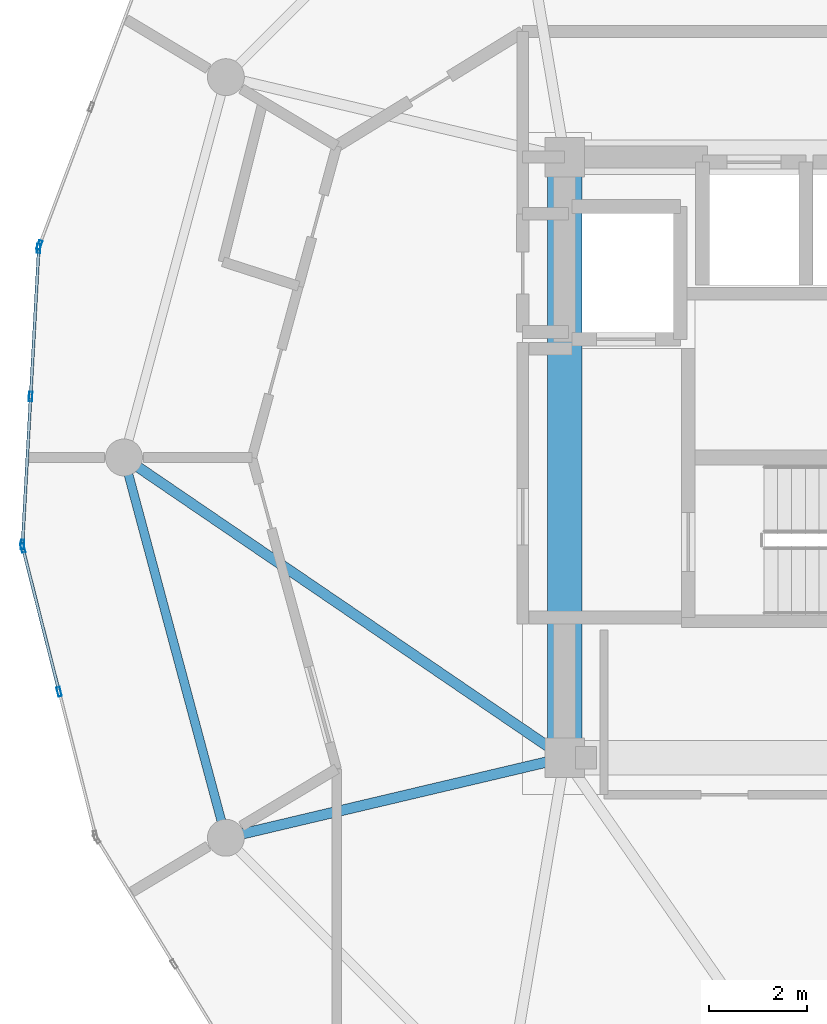
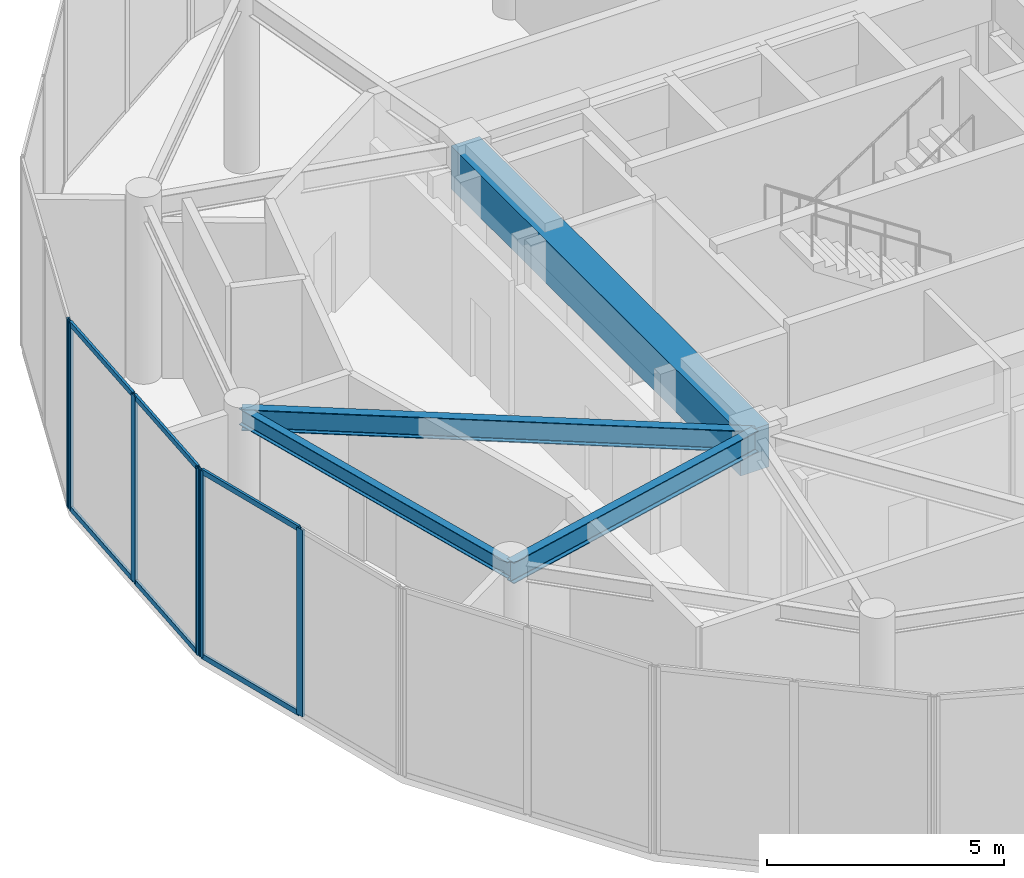
# One storey, part 6 of 21: 12 members, 4 beams, 3 elements without a shape of their own.
"""IFC4 building model written with IfcOpenShell, lengths in metres."""

from ifc_helpers import new_model, si_unit, direction, frame, origin, origin_2d, place, context, subcontext, project, spatial, rectangle, hollow_rectangle, i_section, extrude, source, transform, mapped, material, layer, layer_set, material_profile, profile_set, type_object, element, aggregate, save


model = new_model("IFC4")

# Units and contexts
model_context = context("Model", 3, precision=1e-05, world=origin(), true_north=direction((0.0, 1.0)))
body_context = subcontext(model_context, "Body", "Model", "MODEL_VIEW")
ifc_project = project(units=[si_unit("LENGTHUNIT", "METRE"), si_unit("AREAUNIT", "SQUARE_METRE"), si_unit("VOLUMEUNIT", "CUBIC_METRE"), si_unit("PLANEANGLEUNIT", "RADIAN"), si_unit("MASSUNIT", "GRAM", prefix="KILO")], contexts=[model_context])

# Site, building, storey
site_placement = place(None, origin())
site = spatial("IfcSite", under=ifc_project, at=site_placement, CompositionType="ELEMENT")
building_placement = place(site_placement, origin())
building = spatial("IfcBuilding", under=site, at=building_placement, Name="Solvirekh Grand Hotel", CompositionType="ELEMENT")
storey_placement = place(building_placement, frame((0.0, 0.0, 262.0)))
storey = spatial("IfcBuildingStorey", under=building, at=storey_placement, Name="L68", CompositionType="ELEMENT", Elevation=262.0)

# Beams
ifc_material_1 = material(Name="Concrete C60/75", Category="concrete")
ifc_material_profile_1 = material_profile(ifc_material_1, rectangle(XDim=0.699951171875, YDim=1.10009765625, at=origin_2d()), Name="RC BEAM 700X1100")
ifc_profile_set_1 = profile_set([ifc_material_profile_1], Name="Concrete C60/75")
beam_type_1 = type_object("IfcBeamType", Name="Beam_Core_RC1100", PredefinedType="BEAM", material=ifc_profile_set_1)
beam_1_placement = place(storey_placement, frame((-6.5, 6.10009765625, 4.02001953125), z_axis=(0.0, -1.0, 0.0), x_axis=(1.0, 0.0, 0.0)))
element("IfcBeam", 1, at=beam_1_placement, inside=storey, type_object=beam_type_1, Name="L68 core coupling ring beam 4", PredefinedType="BEAM", context=body_context, shape_type="SweptSolid", body=[
    extrude(rectangle(XDim=0.699951171875, YDim=1.10009765625, at=origin_2d()), origin(), (0.0, 0.0, 1.0), 12.2001953125),
])
ifc_material_2 = material(Name="Steel S355", Category="steel")
ifc_material_profile_2 = material_profile(ifc_material_2, i_section(OverallWidth=0.2119140625, OverallDepth=0.5439453125, WebThickness=0.011962890625, FlangeThickness=0.01904296875, FilletRadius=0.013916015625, at=origin_2d()), Name="W530X123")
ifc_profile_set_2 = profile_set([ifc_material_profile_2], Name="Steel S355")
beam_type_2 = type_object("IfcBeamType", Name="Beam_Radial_W530H", PredefinedType="BEAM", material=ifc_profile_set_2)
beam_2_placement = place(storey_placement, frame((-6.5, -6.10009765625, 4.298095703125), z_axis=(-0.826319370306, 0.563201827285, 0.0), x_axis=(-0.563201827285, -0.826319370306, 0.0)))
element("IfcBeam", 2, at=beam_2_placement, inside=storey, type_object=beam_type_2, Name="L68 radial floor beam R07", PredefinedType="BEAM", context=body_context, shape_type="SweptSolid", body=[
    extrude(i_section(OverallWidth=0.2119140625, OverallDepth=0.5439453125, WebThickness=0.011962890625, FlangeThickness=0.01904296875, FilletRadius=0.013916015625, at=origin_2d()), origin(), (0.0, 0.0, 1.0), 10.8310546875),
])
beam_3_placement = place(storey_placement, frame((-6.5, -6.10009765625, 4.298095703125), z_axis=(-0.973221147544, -0.229870828888, 0.0), x_axis=(0.229870828888, -0.973221147544, 0.0)))
element("IfcBeam", 3, at=beam_3_placement, inside=storey, type_object=beam_type_2, Name="L68 radial floor beam R08", PredefinedType="BEAM", context=body_context, shape_type="SweptSolid", body=[
    extrude(i_section(OverallWidth=0.2119140625, OverallDepth=0.5439453125, WebThickness=0.011962890625, FlangeThickness=0.01904296875, FilletRadius=0.013916015625, at=origin_2d()), origin(), (0.0, 0.0, 1.0), 7.069091796875),
])
ifc_material_profile_3 = material_profile(ifc_material_2, i_section(OverallWidth=0.180908203125, OverallDepth=0.4169921875, WebThickness=0.010009765625, FlangeThickness=0.01611328125, FilletRadius=0.011962890625, at=origin_2d()), Name="W410X85")
ifc_profile_set_3 = profile_set([ifc_material_profile_3], Name="Steel S355")
beam_type_3 = type_object("IfcBeamType", Name="Spandrel_Ring_W410", PredefinedType="SPANDREL", material=ifc_profile_set_3)
beam_4_placement = place(storey_placement, frame((-15.449951171875, 0.0, 4.361083984375), z_axis=(0.258834757072, -0.965921616143, 0.0), x_axis=(0.965921616143, 0.258834757072, 0.0)))
element("IfcBeam", 4, at=beam_4_placement, inside=storey, type_object=beam_type_3, Name="L68 perimeter spandrel beam 7", PredefinedType="SPANDREL", context=body_context, shape_type="SweptSolid", body=[
    extrude(i_section(OverallWidth=0.180908203125, OverallDepth=0.4169921875, WebThickness=0.010009765625, FlangeThickness=0.01611328125, FilletRadius=0.011962890625, at=origin_2d()), origin(), (0.0, 0.0, 1.0), 7.99755859375),
])

# Curtain wall, member
ifc_material_3 = material(Name="Anodized Bronze Aluminium 6063-T6", Category="aluminium")
ifc_layer = layer(ifc_material_3, 0.18994140625)
ifc_layer_set = layer_set([ifc_layer], Name="Anodized Bronze Aluminium 6063-T6")
curtain_wall_type = type_object("IfcCurtainWallType", Name="CW_Sys5_SkyLobbyPanoramaCW", PredefinedType="NOTDEFINED", material=ifc_layer_set)
curtain_wall_1_placement = place(storey_placement, origin())
curtain_wall_1 = element("IfcCurtainWall", 5, at=curtain_wall_1_placement, inside=storey, type_object=curtain_wall_type, Name="L68 unitised bronze-glass curtain wall CW-L68-C14", PredefinedType="NOTDEFINED")
ifc_material_profile_4 = material_profile(ifc_material_3, hollow_rectangle(XDim=0.070068359375, YDim=0.18994140625, WallThickness=0.0048828125, at=origin_2d()), Name="ALU RHS 190X70X5")
ifc_profile_set_4 = profile_set([ifc_material_profile_4], Name="Anodized Bronze Aluminium 6063-T6")
member_type_1 = type_object("IfcMemberType", Name="CWMullion_Sys5", PredefinedType="MULLION", material=ifc_profile_set_4)
shared_shape_1 = source(origin(), body_context, "Body", "SweptSolid", [
    extrude(hollow_rectangle(XDim=0.070068359375, YDim=0.18994140625, WallThickness=0.0048828125, at=origin_2d()), origin(), (0.0, 0.0, 1.0), 4.800048828125),
])
member_1_placement = place(storey_placement, frame((-17.166748046875, 4.315673828125, 0.0), z_axis=(0.0, 0.0, 1.0), x_axis=(0.936152519764, -0.351594169093, 0.0)))
member_1 = element("IfcMember", 6, at=member_1_placement, type_object=member_type_1, Name="U05 mullion 3", PredefinedType="MULLION", context=body_context, shape_type="MappedRepresentation", body=[
    mapped(shared_shape_1, transform((0.0, 0.0, 0.0), x_axis=(1.0, 0.0, 0.0), y_axis=(0.0, 1.0, 0.0), z_axis=(0.0, 0.0, 1.0), scale=1.0)),
])
aggregate(curtain_wall_1, [member_1])

# Curtain wall, members
curtain_wall_2_placement = place(storey_placement, origin())
curtain_wall_2 = element("IfcCurtainWall", 7, at=curtain_wall_2_placement, inside=storey, type_object=curtain_wall_type, Name="L68 unitised bronze-glass curtain wall CW-L68-C15", PredefinedType="NOTDEFINED")
member_2_placement = place(storey_placement, frame((-17.180908203125, 4.248046875, 0.0), z_axis=(0.0, 0.0, 1.0), x_axis=(0.998497975576, -0.05478861899, 0.0)))
member_2 = element("IfcMember", 8, at=member_2_placement, type_object=member_type_1, Name="U05 mullion 1", PredefinedType="MULLION", context=body_context, shape_type="MappedRepresentation", body=[
    mapped(shared_shape_1, transform((0.0, 0.0, 0.0), x_axis=(1.0, 0.0, 0.0), y_axis=(0.0, 1.0, 0.0), z_axis=(0.0, 0.0, 1.0), scale=1.0)),
])
member_3_placement = place(storey_placement, frame((-17.345947265625, 1.239501953125, 0.0), z_axis=(0.0, 0.0, 1.0), x_axis=(0.998497975576, -0.05478861899, 0.0)))
member_3 = element("IfcMember", 9, at=member_3_placement, type_object=member_type_1, Name="U05 mullion 2", PredefinedType="MULLION", context=body_context, shape_type="MappedRepresentation", body=[
    mapped(shared_shape_1, transform((0.0, 0.0, 0.0), x_axis=(1.0, 0.0, 0.0), y_axis=(0.0, 1.0, 0.0), z_axis=(0.0, 0.0, 1.0), scale=1.0)),
])
member_4_placement = place(storey_placement, frame((-17.510986328125, -1.76904296875, 0.0), z_axis=(0.0, 0.0, 1.0), x_axis=(0.998497975576, -0.05478861899, 0.0)))
member_4 = element("IfcMember", 10, at=member_4_placement, type_object=member_type_1, Name="U05 mullion 3", PredefinedType="MULLION", context=body_context, shape_type="MappedRepresentation", body=[
    mapped(shared_shape_1, transform((0.0, 0.0, 0.0), x_axis=(1.0, 0.0, 0.0), y_axis=(0.0, 1.0, 0.0), z_axis=(0.0, 0.0, 1.0), scale=1.0)),
])

curtain_wall_3_placement = place(storey_placement, origin())
curtain_wall_3 = element("IfcCurtainWall", 11, at=curtain_wall_3_placement, inside=storey, type_object=curtain_wall_type, Name="L68 unitised bronze-glass curtain wall CW-L68-C16", PredefinedType="NOTDEFINED")
member_5_placement = place(storey_placement, frame((-17.50439453125, -1.837890625, 0.0), z_axis=(0.0, 0.0, 1.0), x_axis=(0.969531400996, 0.244967064078, 0.0)))
member_5 = element("IfcMember", 12, at=member_5_placement, type_object=member_type_1, Name="U05 mullion 1", PredefinedType="MULLION", context=body_context, shape_type="MappedRepresentation", body=[
    mapped(shared_shape_1, transform((0.0, 0.0, 0.0), x_axis=(1.0, 0.0, 0.0), y_axis=(0.0, 1.0, 0.0), z_axis=(0.0, 0.0, 1.0), scale=1.0)),
])
member_6_placement = place(storey_placement, frame((-16.7666015625, -4.758544921875, 0.0), z_axis=(0.0, 0.0, 1.0), x_axis=(0.969531400996, 0.244967064078, 0.0)))
member_6 = element("IfcMember", 13, at=member_6_placement, type_object=member_type_1, Name="U05 mullion 2", PredefinedType="MULLION", context=body_context, shape_type="MappedRepresentation", body=[
    mapped(shared_shape_1, transform((0.0, 0.0, 0.0), x_axis=(1.0, 0.0, 0.0), y_axis=(0.0, 1.0, 0.0), z_axis=(0.0, 0.0, 1.0), scale=1.0)),
])

# Member
ifc_material_profile_5 = material_profile(ifc_material_3, hollow_rectangle(XDim=0.06005859375, YDim=0.135009765625, WallThickness=0.00390625, at=origin_2d()), Name="ALU RHS 135X60X4")
ifc_profile_set_5 = profile_set([ifc_material_profile_5], Name="Anodized Bronze Aluminium 6063-T6")
member_type_2 = type_object("IfcMemberType", Name="CWTransom_Sys5", PredefinedType="USERDEFINED", material=ifc_profile_set_5)
shared_shape_2 = source(origin(), body_context, "Body", "SweptSolid", [
    extrude(hollow_rectangle(XDim=0.06005859375, YDim=0.135009765625, WallThickness=0.00390625, at=origin_2d()), origin(), (0.0, 0.0, 1.0), 2.943115234375),
])
member_7_placement = place(storey_placement, frame((-17.182861328125, 4.213134765625, 0.030029296875), z_axis=(-0.054748700589, -0.99850016514, 0.0), x_axis=(0.99850016514, -0.054748700589, 0.0)))
member_7 = element("IfcMember", 14, at=member_7_placement, type_object=member_type_2, Name="U05 transom 1.1", ObjectType="TRANSOM", PredefinedType="USERDEFINED", context=body_context, shape_type="MappedRepresentation", body=[
    mapped(shared_shape_2, transform((0.0, 0.0, 0.0), x_axis=(1.0, 0.0, 0.0), y_axis=(0.0, 1.0, 0.0), z_axis=(0.0, 0.0, 1.0), scale=1.0)),
])

member_8_placement = place(storey_placement, frame((-17.182861328125, 4.213134765625, 4.77001953125), z_axis=(-0.054748700589, -0.99850016514, 0.0), x_axis=(0.99850016514, -0.054748700589, 0.0)))
member_8 = element("IfcMember", 15, at=member_8_placement, type_object=member_type_2, Name="U05 transom 1.2", ObjectType="TRANSOM", PredefinedType="USERDEFINED", context=body_context, shape_type="MappedRepresentation", body=[
    mapped(shared_shape_2, transform((0.0, 0.0, 0.0), x_axis=(1.0, 0.0, 0.0), y_axis=(0.0, 1.0, 0.0), z_axis=(0.0, 0.0, 1.0), scale=1.0)),
])

member_9_placement = place(storey_placement, frame((-17.347900390625, 1.20458984375, 0.030029296875), z_axis=(-0.054831403958, -0.998495627001, 0.0), x_axis=(0.998495627001, -0.054831403958, 0.0)))
member_9 = element("IfcMember", 16, at=member_9_placement, type_object=member_type_2, Name="U05 transom 2.1", ObjectType="TRANSOM", PredefinedType="USERDEFINED", context=body_context, shape_type="MappedRepresentation", body=[
    mapped(shared_shape_2, transform((0.0, 0.0, 0.0), x_axis=(1.0, 0.0, 0.0), y_axis=(0.0, 1.0, 0.0), z_axis=(0.0, 0.0, 1.0), scale=1.0)),
])

member_10_placement = place(storey_placement, frame((-17.347900390625, 1.20458984375, 4.77001953125), z_axis=(-0.054831403958, -0.998495627001, 0.0), x_axis=(0.998495627001, -0.054831403958, 0.0)))
member_10 = element("IfcMember", 17, at=member_10_placement, type_object=member_type_2, Name="U05 transom 2.2", ObjectType="TRANSOM", PredefinedType="USERDEFINED", context=body_context, shape_type="MappedRepresentation", body=[
    mapped(shared_shape_2, transform((0.0, 0.0, 0.0), x_axis=(1.0, 0.0, 0.0), y_axis=(0.0, 1.0, 0.0), z_axis=(0.0, 0.0, 1.0), scale=1.0)),
])

aggregate(curtain_wall_2, [member_2, member_3, member_4, member_7, member_8, member_9, member_10])

shared_shape_3 = source(origin(), body_context, "Body", "SweptSolid", [
    extrude(hollow_rectangle(XDim=0.06005859375, YDim=0.135009765625, WallThickness=0.00390625, at=origin_2d()), origin(), (0.0, 0.0, 1.0), 2.9423828125),
])
member_11_placement = place(storey_placement, frame((-17.495849609375, -1.871826171875, 0.030029296875), z_axis=(0.244936217516, -0.969539194334, 0.0), x_axis=(0.969539194334, 0.244936217516, 0.0)))
member_11 = element("IfcMember", 18, at=member_11_placement, type_object=member_type_2, Name="U05 transom 1.1", ObjectType="TRANSOM", PredefinedType="USERDEFINED", context=body_context, shape_type="MappedRepresentation", body=[
    mapped(shared_shape_3, transform((0.0, 0.0, 0.0), x_axis=(1.0, 0.0, 0.0), y_axis=(0.0, 1.0, 0.0), z_axis=(0.0, 0.0, 1.0), scale=1.0)),
])

member_12_placement = place(storey_placement, frame((-17.495849609375, -1.871826171875, 4.77001953125), z_axis=(0.244936217516, -0.969539194334, 0.0), x_axis=(0.969539194334, 0.244936217516, 0.0)))
member_12 = element("IfcMember", 19, at=member_12_placement, type_object=member_type_2, Name="U05 transom 1.2", ObjectType="TRANSOM", PredefinedType="USERDEFINED", context=body_context, shape_type="MappedRepresentation", body=[
    mapped(shared_shape_3, transform((0.0, 0.0, 0.0), x_axis=(1.0, 0.0, 0.0), y_axis=(0.0, 1.0, 0.0), z_axis=(0.0, 0.0, 1.0), scale=1.0)),
])

aggregate(curtain_wall_3, [member_5, member_6, member_11, member_12])

save(model, "model.ifc")
